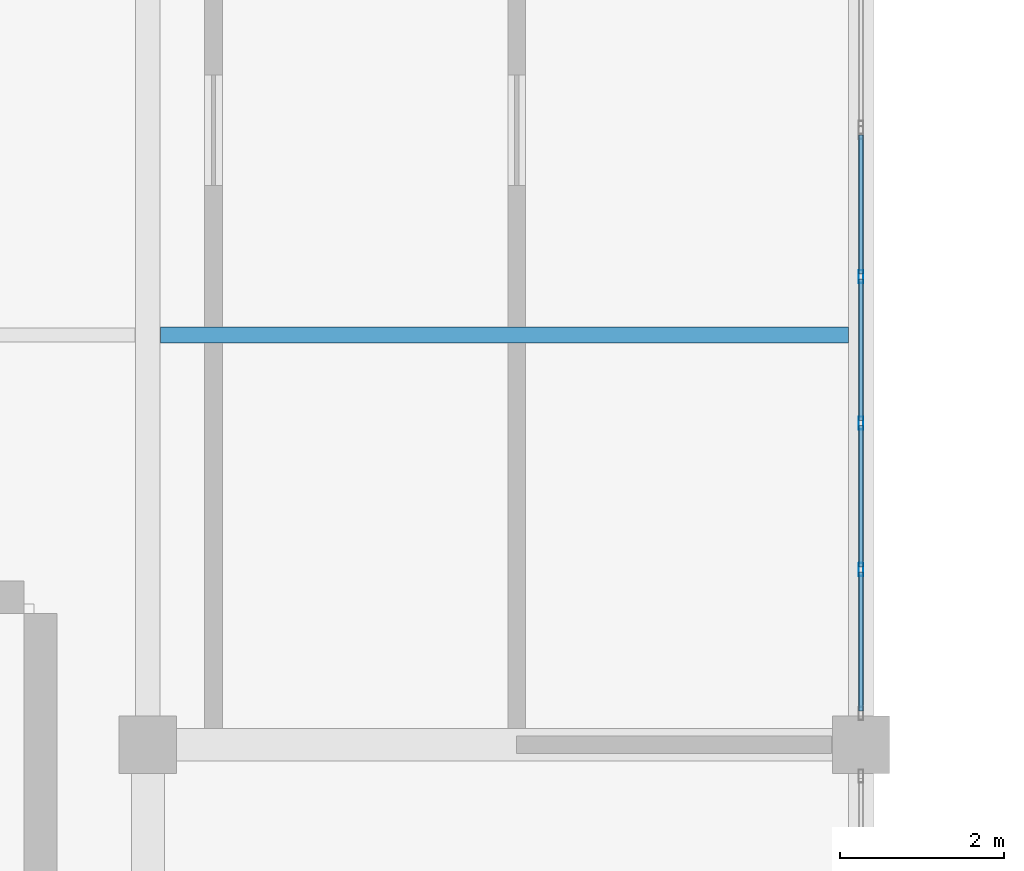
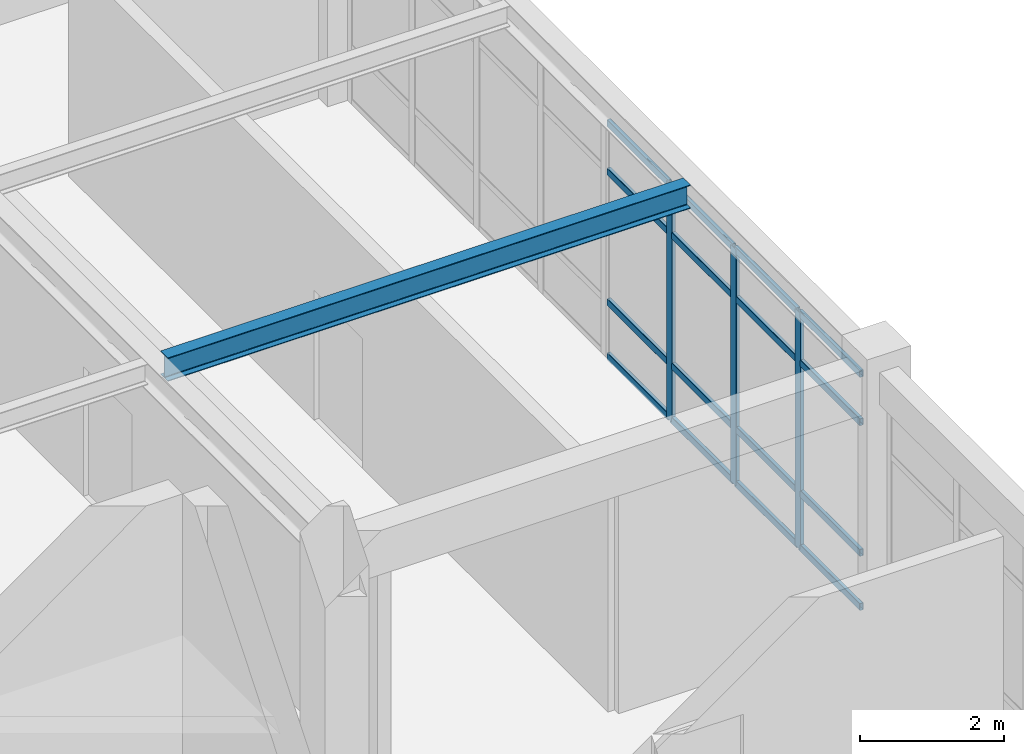
# One storey, part 29 of 76: 19 members, 1 beam, 1 element without a shape of its own.
"""IFC4 building model written with IfcOpenShell, lengths in metres."""

from ifc_helpers import new_model, si_unit, derived_unit, direction, frame, origin, origin_2d, place, context, subcontext, project, spatial, hollow_rectangle, i_section, extrude, material, layer, layer_set, material_profile, profile_set, type_object, element, aggregate, save


model = new_model("IFC4")

# Units and contexts
model_context = context("Model", 3, precision=1e-05, world=origin(), true_north=direction((0.0, 1.0)))
body_context = subcontext(model_context, "Body", "Model", "MODEL_VIEW")
ifc_project = project(units=[si_unit("LENGTHUNIT", "METRE"), si_unit("AREAUNIT", "SQUARE_METRE"), si_unit("VOLUMEUNIT", "CUBIC_METRE"), si_unit("PLANEANGLEUNIT", "RADIAN"), si_unit("MASSUNIT", "GRAM", prefix="KILO"), derived_unit("THERMALTRANSMITTANCEUNIT", [(si_unit("MASSUNIT", "GRAM", prefix="KILO"), 1), (si_unit("TIMEUNIT", "SECOND"), -3), (si_unit("THERMODYNAMICTEMPERATUREUNIT", "KELVIN"), -1)])], contexts=[model_context])

# Site, building, storey
site_placement = place(None, origin())
site = spatial("IfcSite", under=ifc_project, at=site_placement, CompositionType="ELEMENT")
building_placement = place(site_placement, origin())
building = spatial("IfcBuilding", under=site, at=building_placement, Name="Qinzheling Arcade Emporium", CompositionType="ELEMENT")
storey_placement = place(building_placement, frame((0.0, 0.0, 26.699951171875)))
storey = spatial("IfcBuildingStorey", under=building, at=storey_placement, Name="L06", CompositionType="ELEMENT", Elevation=26.699951171875)

# Curtain wall, members
ifc_material_1 = material(Name="Anodised aluminium and solar-control double glazing", Category="aluminium")
ifc_layer = layer(ifc_material_1, 0.159912109375, Name="Anodised aluminium and solar-control double glazing", Category="aluminium")
ifc_layer_set = layer_set([ifc_layer], Name="Anodised aluminium and solar-control double glazing")
curtain_wall_type = type_object("IfcCurtainWallType", Name="Atrium Clerestory Curtain Wall", PredefinedType="NOTDEFINED", material=ifc_layer_set)
curtain_wall_placement = place(storey_placement, origin())
curtain_wall = element("IfcCurtainWall", 1, at=curtain_wall_placement, inside=storey, type_object=curtain_wall_type, Name="Curtain Wall CW-L06-375", PredefinedType="NOTDEFINED")
ifc_material_2 = material(Name="Anodised aluminium 6063-T6", Category="aluminium")
ifc_material_profile_1 = material_profile(ifc_material_2, hollow_rectangle(XDim=0.06005859375, YDim=0.159912109375, WallThickness=0.00390625, InnerFilletRadius=0.00390625, OuterFilletRadius=0.008056640625, at=origin_2d()), Name="RHS 160x60x4", Category="aluminium")
ifc_profile_set_1 = profile_set([ifc_material_profile_1], Name="Anodised aluminium 6063-T6")
member_type_1 = type_object("IfcMemberType", Name="Curtain Wall Mullion RHS160x60", PredefinedType="MULLION", material=ifc_profile_set_1)
member_1_placement = place(storey_placement, frame((104.39990234375, 56.111572265625, 0.0), z_axis=(0.0, 0.0, 1.0), x_axis=(1.0, 0.0, 0.0)))
member_1 = element("IfcMember", 2, at=member_1_placement, type_object=member_type_1, Name="CW03 mullion 2", PredefinedType="MULLION", context=body_context, shape_type="SweptSolid", body=[
    extrude(hollow_rectangle(XDim=0.06005859375, YDim=0.159912109375, WallThickness=0.00390625, InnerFilletRadius=0.00390625, OuterFilletRadius=0.008056640625, at=origin_2d()), origin(), (0.0, 0.0, 1.0), 4.01708984375),
])
member_2_placement = place(storey_placement, frame((104.39990234375, 54.324951171875, 0.0), z_axis=(0.0, 0.0, 1.0), x_axis=(1.0, 0.0, 0.0)))
member_2 = element("IfcMember", 3, at=member_2_placement, type_object=member_type_1, Name="CW03 mullion 3", PredefinedType="MULLION", context=body_context, shape_type="SweptSolid", body=[
    extrude(hollow_rectangle(XDim=0.06005859375, YDim=0.159912109375, WallThickness=0.00390625, InnerFilletRadius=0.00390625, OuterFilletRadius=0.008056640625, at=origin_2d()), origin(), (0.0, 0.0, 1.0), 4.01708984375),
])
member_3_placement = place(storey_placement, frame((104.39990234375, 52.53857421875, 0.0), z_axis=(0.0, 0.0, 1.0), x_axis=(1.0, 0.0, 0.0)))
member_3 = element("IfcMember", 4, at=member_3_placement, type_object=member_type_1, Name="CW03 mullion 4", PredefinedType="MULLION", context=body_context, shape_type="SweptSolid", body=[
    extrude(hollow_rectangle(XDim=0.06005859375, YDim=0.159912109375, WallThickness=0.00390625, InnerFilletRadius=0.00390625, OuterFilletRadius=0.008056640625, at=origin_2d()), origin(), (0.0, 0.0, 1.0), 4.01708984375),
])
ifc_material_profile_2 = material_profile(ifc_material_2, hollow_rectangle(XDim=0.06005859375, YDim=0.1201171875, WallThickness=0.00390625, InnerFilletRadius=0.00390625, OuterFilletRadius=0.008056640625, at=origin_2d()), Name="RHS 120x60x4", Category="aluminium")
ifc_profile_set_2 = profile_set([ifc_material_profile_2], Name="Anodised aluminium 6063-T6")
member_type_2 = type_object("IfcMemberType", Name="Curtain Wall Transom RHS120x60", PredefinedType="USERDEFINED", material=ifc_profile_set_2)
member_4_placement = place(storey_placement, frame((104.39990234375, 57.837890625, 0.030029296875), z_axis=(0.0, -1.0, 0.0), x_axis=(1.0, 0.0, 0.0)))
member_4 = element("IfcMember", 5, at=member_4_placement, type_object=member_type_2, Name="CW03 transom 1.1", ObjectType="TRANSOM", PredefinedType="USERDEFINED", context=body_context, shape_type="SweptSolid", body=[
    extrude(hollow_rectangle(XDim=0.06005859375, YDim=0.1201171875, WallThickness=0.00390625, InnerFilletRadius=0.00390625, OuterFilletRadius=0.008056640625, at=origin_2d()), origin(), (0.0, 0.0, 1.0), 1.6962890625),
])
member_5_placement = place(storey_placement, frame((104.39990234375, 57.837890625, 0.949951171875), z_axis=(0.0, -1.0, 0.0), x_axis=(1.0, 0.0, 0.0)))
member_5 = element("IfcMember", 6, at=member_5_placement, type_object=member_type_2, Name="CW03 transom 1.2", ObjectType="TRANSOM", PredefinedType="USERDEFINED", context=body_context, shape_type="SweptSolid", body=[
    extrude(hollow_rectangle(XDim=0.06005859375, YDim=0.1201171875, WallThickness=0.00390625, InnerFilletRadius=0.00390625, OuterFilletRadius=0.008056640625, at=origin_2d()), origin(), (0.0, 0.0, 1.0), 1.6962890625),
])
member_6_placement = place(storey_placement, frame((104.39990234375, 57.837890625, 3.1669921875), z_axis=(0.0, -1.0, 0.0), x_axis=(1.0, 0.0, 0.0)))
member_6 = element("IfcMember", 7, at=member_6_placement, type_object=member_type_2, Name="CW03 transom 1.3", ObjectType="TRANSOM", PredefinedType="USERDEFINED", context=body_context, shape_type="SweptSolid", body=[
    extrude(hollow_rectangle(XDim=0.06005859375, YDim=0.1201171875, WallThickness=0.00390625, InnerFilletRadius=0.00390625, OuterFilletRadius=0.008056640625, at=origin_2d()), origin(), (0.0, 0.0, 1.0), 1.6962890625),
])
member_7_placement = place(storey_placement, frame((104.39990234375, 57.837890625, 3.987060546875), z_axis=(0.0, -1.0, 0.0), x_axis=(1.0, 0.0, 0.0)))
member_7 = element("IfcMember", 8, at=member_7_placement, type_object=member_type_2, Name="CW03 transom 1.4", ObjectType="TRANSOM", PredefinedType="USERDEFINED", context=body_context, shape_type="SweptSolid", body=[
    extrude(hollow_rectangle(XDim=0.06005859375, YDim=0.1201171875, WallThickness=0.00390625, InnerFilletRadius=0.00390625, OuterFilletRadius=0.008056640625, at=origin_2d()), origin(), (0.0, 0.0, 1.0), 1.6962890625),
])
member_8_placement = place(storey_placement, frame((104.39990234375, 56.08154296875, 0.030029296875), z_axis=(0.0, -1.0, 0.0), x_axis=(1.0, 0.0, 0.0)))
member_8 = element("IfcMember", 9, at=member_8_placement, type_object=member_type_2, Name="CW03 transom 2.1", ObjectType="TRANSOM", PredefinedType="USERDEFINED", context=body_context, shape_type="SweptSolid", body=[
    extrude(hollow_rectangle(XDim=0.06005859375, YDim=0.1201171875, WallThickness=0.00390625, InnerFilletRadius=0.00390625, OuterFilletRadius=0.008056640625, at=origin_2d()), origin(), (0.0, 0.0, 1.0), 1.7265625),
])
member_9_placement = place(storey_placement, frame((104.39990234375, 56.08154296875, 0.949951171875), z_axis=(0.0, -1.0, 0.0), x_axis=(1.0, 0.0, 0.0)))
member_9 = element("IfcMember", 10, at=member_9_placement, type_object=member_type_2, Name="CW03 transom 2.2", ObjectType="TRANSOM", PredefinedType="USERDEFINED", context=body_context, shape_type="SweptSolid", body=[
    extrude(hollow_rectangle(XDim=0.06005859375, YDim=0.1201171875, WallThickness=0.00390625, InnerFilletRadius=0.00390625, OuterFilletRadius=0.008056640625, at=origin_2d()), origin(), (0.0, 0.0, 1.0), 1.7265625),
])
member_10_placement = place(storey_placement, frame((104.39990234375, 56.08154296875, 3.1669921875), z_axis=(0.0, -1.0, 0.0), x_axis=(1.0, 0.0, 0.0)))
member_10 = element("IfcMember", 11, at=member_10_placement, type_object=member_type_2, Name="CW03 transom 2.3", ObjectType="TRANSOM", PredefinedType="USERDEFINED", context=body_context, shape_type="SweptSolid", body=[
    extrude(hollow_rectangle(XDim=0.06005859375, YDim=0.1201171875, WallThickness=0.00390625, InnerFilletRadius=0.00390625, OuterFilletRadius=0.008056640625, at=origin_2d()), origin(), (0.0, 0.0, 1.0), 1.7265625),
])
member_11_placement = place(storey_placement, frame((104.39990234375, 56.08154296875, 3.987060546875), z_axis=(0.0, -1.0, 0.0), x_axis=(1.0, 0.0, 0.0)))
member_11 = element("IfcMember", 12, at=member_11_placement, type_object=member_type_2, Name="CW03 transom 2.4", ObjectType="TRANSOM", PredefinedType="USERDEFINED", context=body_context, shape_type="SweptSolid", body=[
    extrude(hollow_rectangle(XDim=0.06005859375, YDim=0.1201171875, WallThickness=0.00390625, InnerFilletRadius=0.00390625, OuterFilletRadius=0.008056640625, at=origin_2d()), origin(), (0.0, 0.0, 1.0), 1.7265625),
])
member_12_placement = place(storey_placement, frame((104.39990234375, 54.294921875, 0.030029296875), z_axis=(0.0, -1.0, 0.0), x_axis=(1.0, 0.0, 0.0)))
member_12 = element("IfcMember", 13, at=member_12_placement, type_object=member_type_2, Name="CW03 transom 3.1", ObjectType="TRANSOM", PredefinedType="USERDEFINED", context=body_context, shape_type="SweptSolid", body=[
    extrude(hollow_rectangle(XDim=0.06005859375, YDim=0.1201171875, WallThickness=0.00390625, InnerFilletRadius=0.00390625, OuterFilletRadius=0.008056640625, at=origin_2d()), origin(), (0.0, 0.0, 1.0), 1.726318359375),
])
member_13_placement = place(storey_placement, frame((104.39990234375, 54.294921875, 0.949951171875), z_axis=(0.0, -1.0, 0.0), x_axis=(1.0, 0.0, 0.0)))
member_13 = element("IfcMember", 14, at=member_13_placement, type_object=member_type_2, Name="CW03 transom 3.2", ObjectType="TRANSOM", PredefinedType="USERDEFINED", context=body_context, shape_type="SweptSolid", body=[
    extrude(hollow_rectangle(XDim=0.06005859375, YDim=0.1201171875, WallThickness=0.00390625, InnerFilletRadius=0.00390625, OuterFilletRadius=0.008056640625, at=origin_2d()), origin(), (0.0, 0.0, 1.0), 1.726318359375),
])
member_14_placement = place(storey_placement, frame((104.39990234375, 54.294921875, 3.1669921875), z_axis=(0.0, -1.0, 0.0), x_axis=(1.0, 0.0, 0.0)))
member_14 = element("IfcMember", 15, at=member_14_placement, type_object=member_type_2, Name="CW03 transom 3.3", ObjectType="TRANSOM", PredefinedType="USERDEFINED", context=body_context, shape_type="SweptSolid", body=[
    extrude(hollow_rectangle(XDim=0.06005859375, YDim=0.1201171875, WallThickness=0.00390625, InnerFilletRadius=0.00390625, OuterFilletRadius=0.008056640625, at=origin_2d()), origin(), (0.0, 0.0, 1.0), 1.726318359375),
])
member_15_placement = place(storey_placement, frame((104.39990234375, 54.294921875, 3.987060546875), z_axis=(0.0, -1.0, 0.0), x_axis=(1.0, 0.0, 0.0)))
member_15 = element("IfcMember", 16, at=member_15_placement, type_object=member_type_2, Name="CW03 transom 3.4", ObjectType="TRANSOM", PredefinedType="USERDEFINED", context=body_context, shape_type="SweptSolid", body=[
    extrude(hollow_rectangle(XDim=0.06005859375, YDim=0.1201171875, WallThickness=0.00390625, InnerFilletRadius=0.00390625, OuterFilletRadius=0.008056640625, at=origin_2d()), origin(), (0.0, 0.0, 1.0), 1.726318359375),
])
member_16_placement = place(storey_placement, frame((104.39990234375, 52.508544921875, 0.030029296875), z_axis=(0.0, -1.0, 0.0), x_axis=(1.0, 0.0, 0.0)))
member_16 = element("IfcMember", 17, at=member_16_placement, type_object=member_type_2, Name="CW03 transom 4.1", ObjectType="TRANSOM", PredefinedType="USERDEFINED", context=body_context, shape_type="SweptSolid", body=[
    extrude(hollow_rectangle(XDim=0.06005859375, YDim=0.1201171875, WallThickness=0.00390625, InnerFilletRadius=0.00390625, OuterFilletRadius=0.008056640625, at=origin_2d()), origin(), (0.0, 0.0, 1.0), 1.696533203125),
])
member_17_placement = place(storey_placement, frame((104.39990234375, 52.508544921875, 0.949951171875), z_axis=(0.0, -1.0, 0.0), x_axis=(1.0, 0.0, 0.0)))
member_17 = element("IfcMember", 18, at=member_17_placement, type_object=member_type_2, Name="CW03 transom 4.2", ObjectType="TRANSOM", PredefinedType="USERDEFINED", context=body_context, shape_type="SweptSolid", body=[
    extrude(hollow_rectangle(XDim=0.06005859375, YDim=0.1201171875, WallThickness=0.00390625, InnerFilletRadius=0.00390625, OuterFilletRadius=0.008056640625, at=origin_2d()), origin(), (0.0, 0.0, 1.0), 1.696533203125),
])
member_18_placement = place(storey_placement, frame((104.39990234375, 52.508544921875, 3.1669921875), z_axis=(0.0, -1.0, 0.0), x_axis=(1.0, 0.0, 0.0)))
member_18 = element("IfcMember", 19, at=member_18_placement, type_object=member_type_2, Name="CW03 transom 4.3", ObjectType="TRANSOM", PredefinedType="USERDEFINED", context=body_context, shape_type="SweptSolid", body=[
    extrude(hollow_rectangle(XDim=0.06005859375, YDim=0.1201171875, WallThickness=0.00390625, InnerFilletRadius=0.00390625, OuterFilletRadius=0.008056640625, at=origin_2d()), origin(), (0.0, 0.0, 1.0), 1.696533203125),
])
member_19_placement = place(storey_placement, frame((104.39990234375, 52.508544921875, 3.987060546875), z_axis=(0.0, -1.0, 0.0), x_axis=(1.0, 0.0, 0.0)))
member_19 = element("IfcMember", 20, at=member_19_placement, type_object=member_type_2, Name="CW03 transom 4.4", ObjectType="TRANSOM", PredefinedType="USERDEFINED", context=body_context, shape_type="SweptSolid", body=[
    extrude(hollow_rectangle(XDim=0.06005859375, YDim=0.1201171875, WallThickness=0.00390625, InnerFilletRadius=0.00390625, OuterFilletRadius=0.008056640625, at=origin_2d()), origin(), (0.0, 0.0, 1.0), 1.696533203125),
])
aggregate(curtain_wall, [member_1, member_2, member_3, member_4, member_5, member_6, member_7, member_8, member_9, member_10, member_11, member_12, member_13, member_14, member_15, member_16, member_17, member_18, member_19])

# Beam
ifc_material_3 = material(Name="Structural steel Q355B", Category="steel")
ifc_material_profile_3 = material_profile(ifc_material_3, i_section(OverallWidth=0.199951171875, OverallDepth=0.39990234375, WebThickness=0.008056640625, FlangeThickness=0.012939453125, FilletRadius=0.01611328125, at=origin_2d()), Name="HN 400x200x8x13", Category="steel")
ifc_profile_set_3 = profile_set([ifc_material_profile_3], Name="Structural steel Q355B")
beam_type = type_object("IfcBeamType", Name="Storm Eave Outlooker Joist HN400 Q355B", PredefinedType="JOIST", material=ifc_profile_set_3)
beam_placement = place(storey_placement, frame((95.85498046875, 55.39990234375, 4.320068359375), z_axis=(1.0, 0.0, 0.0), x_axis=(0.0, 1.0, 0.0)))
element("IfcBeam", 21, at=beam_placement, inside=storey, type_object=beam_type, Name="Secondary Joist JST-L06-12-1", PredefinedType="JOIST", context=body_context, shape_type="SweptSolid", body=[
    extrude(i_section(OverallWidth=0.199951171875, OverallDepth=0.39990234375, WebThickness=0.008056640625, FlangeThickness=0.012939453125, FilletRadius=0.01611328125, at=origin_2d()), origin(), (0.0, 0.0, 1.0), 8.39013671875),
])

save(model, "model.ifc")
